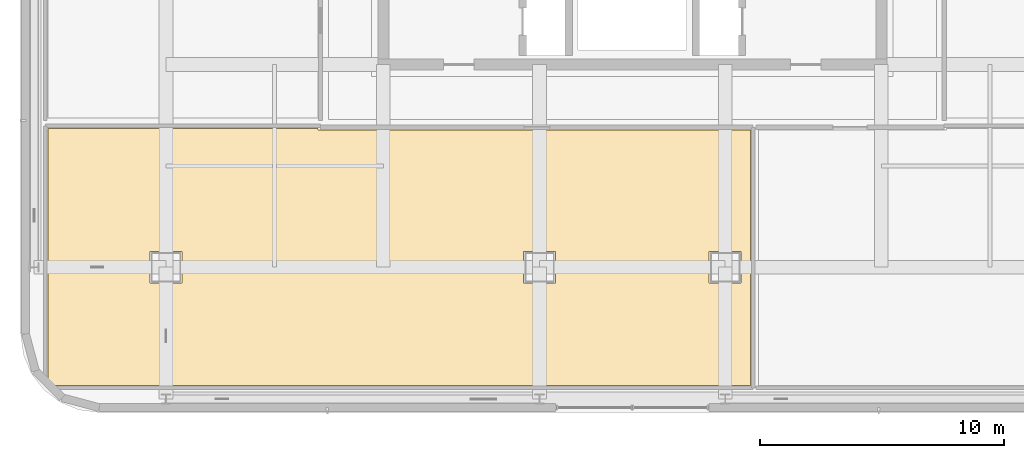
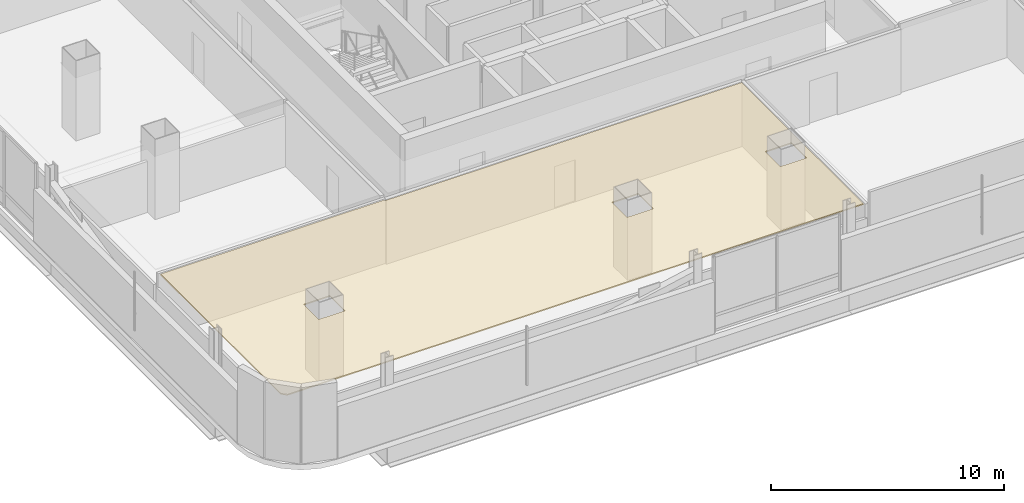
# One storey, part 19 of 28: 1 covering.
"""IFC4 building model written with IfcOpenShell, lengths in metres."""

from ifc_helpers import new_model, si_unit, direction, frame, origin, place, context, subcontext, project, spatial, polyline, outline, extrude, material, layer, layer_set, type_object, element, save


model = new_model("IFC4")

# Units and contexts
model_context = context("Model", 3, precision=1e-05, world=origin(), true_north=direction((0.0, 1.0)))
body_context = subcontext(model_context, "Body", "Model", "MODEL_VIEW")
ifc_project = project(units=[si_unit("LENGTHUNIT", "METRE"), si_unit("AREAUNIT", "SQUARE_METRE"), si_unit("VOLUMEUNIT", "CUBIC_METRE"), si_unit("PLANEANGLEUNIT", "RADIAN"), si_unit("MASSUNIT", "GRAM", prefix="KILO")], contexts=[model_context])

# Site, building, storey
site_placement = place(None, origin())
site = spatial("IfcSite", under=ifc_project, at=site_placement, CompositionType="ELEMENT")
building_placement = place(site_placement, origin())
building = spatial("IfcBuilding", under=site, at=building_placement, Name="Punatoya Terracotta Tower", CompositionType="ELEMENT")
storey_placement = place(building_placement, frame((0.0, 0.0, 317.39990234375)))
storey = spatial("IfcBuildingStorey", under=building, at=storey_placement, Name="L75", CompositionType="ELEMENT", Elevation=317.39990234375)

# Covering
ifc_material = material(Name="Acoustic Mineral Fibre Ceiling")
ifc_layer = layer(ifc_material, 0.06005859375)
ifc_layer_set = layer_set([ifc_layer], Name="Acoustic Mineral Fibre Ceiling")
covering_type = type_object("IfcCoveringType", Name="COV-CEIL-60", PredefinedType="CEILING", material=ifc_layer_set)
covering_placement = place(storey_placement, frame((0.0, 0.0, 3.31005859375)))
element("IfcCovering", 1, at=covering_placement, inside=storey, type_object=covering_type, Name="L75 Client Media Salon Acoustic Ceiling", PredefinedType="CEILING", context=body_context, shape_type="SweptSolid", body=[
    extrude(outline(polyline([(-23.713623046875, -22.340087890625), (4.847900390625, -22.340087890625), (4.847900390625, -11.8701171875), (-12.8701171875, -11.8701171875), (-12.8701171875, -11.81005859375), (-23.93994140625, -11.81005859375), (-23.93994140625, -22.113525390625), (-23.841796875, -22.24169921875), (-23.713623046875, -22.340087890625)]), holes=[polyline([(4.449951171875, -16.85009765625), (4.449951171875, -18.14990234375), (3.14990234375, -18.14990234375), (3.14990234375, -16.85009765625), (4.449951171875, -16.85009765625)]), polyline([(-4.449951171875, -16.85009765625), (-3.14990234375, -16.85009765625), (-3.14990234375, -18.14990234375), (-4.449951171875, -18.14990234375), (-4.449951171875, -16.85009765625)]), polyline([(-19.75, -18.14990234375), (-19.75, -16.85009765625), (-18.449951171875, -16.85009765625), (-18.449951171875, -18.14990234375), (-19.75, -18.14990234375)])]), origin(), (0.0, 0.0, 1.0), 0.06005859375),
])

save(model, "model.ifc")
